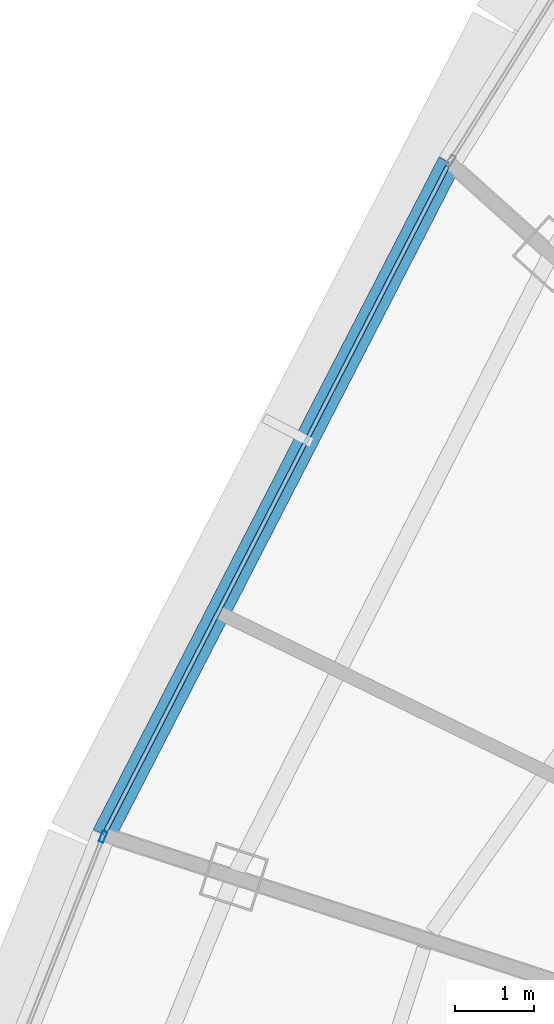
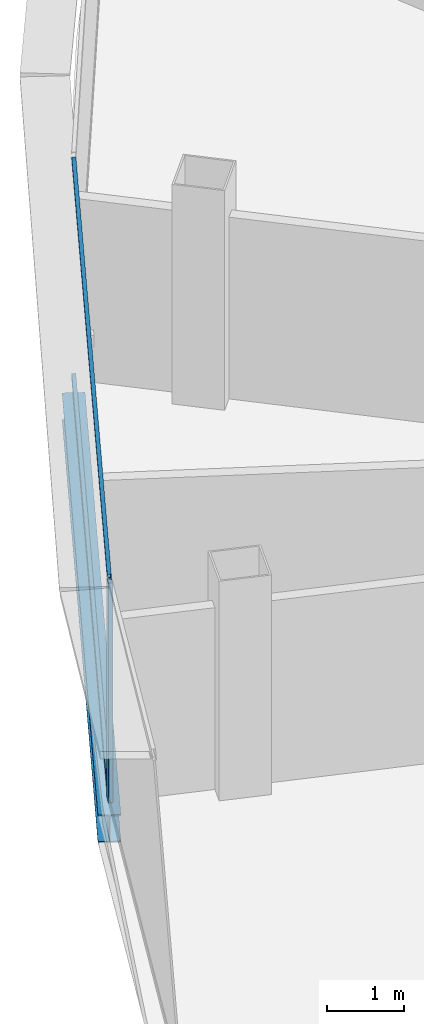
# One storey, part 6 of 29: 3 members, 1 beam, 2 elements without a shape of their own.
"""IFC4 building model written with IfcOpenShell, lengths in metres."""

from ifc_helpers import new_model, si_unit, direction, frame, origin, origin_2d, place, context, subcontext, project, spatial, hollow_rectangle, i_section, extrude, source, transform, mapped, material, layer, layer_set, material_profile, profile_set, type_object, element, aggregate, save


model = new_model("IFC4")

# Units and contexts
model_context = context("Model", 3, precision=1e-05, world=origin(), true_north=direction((0.0, 1.0)))
body_context = subcontext(model_context, "Body", "Model", "MODEL_VIEW")
ifc_project = project(units=[si_unit("LENGTHUNIT", "METRE"), si_unit("AREAUNIT", "SQUARE_METRE"), si_unit("VOLUMEUNIT", "CUBIC_METRE"), si_unit("PLANEANGLEUNIT", "RADIAN"), si_unit("MASSUNIT", "GRAM", prefix="KILO"), si_unit("THERMODYNAMICTEMPERATUREUNIT", "KELVIN"), si_unit("POWERUNIT", "WATT")], contexts=[model_context])

# Site, building, storey
site_placement = place(None, origin())
site = spatial("IfcSite", under=ifc_project, at=site_placement, CompositionType="ELEMENT")
building_placement = place(site_placement, origin())
building = spatial("IfcBuilding", under=site, at=building_placement, Name="Yunzhuo Pagoda Commons", CompositionType="ELEMENT")
storey_placement = place(building_placement, frame((0.0, 0.0, 359.260009765625)))
storey = spatial("IfcBuildingStorey", under=building, at=storey_placement, Name="L90", CompositionType="ELEMENT", Elevation=359.260009765625)

# Beam
ifc_material_1 = material(Name="Structural steel Q355B", Category="steel")
ifc_material_profile_1 = material_profile(ifc_material_1, i_section(OverallWidth=0.300048828125, OverallDepth=0.43994140625, WebThickness=0.010986328125, FlangeThickness=0.01806640625, at=origin_2d()), Name="Structural steel Q355B")
ifc_profile_set_1 = profile_set([ifc_material_profile_1], Name="Structural steel Q355B")
beam_type = type_object("IfcBeamType", Name="B-SP2 Beam HM 440x300x11x18", PredefinedType="BEAM", material=ifc_profile_set_1)
shared_shape_1 = source(origin(), body_context, "Body", "SweptSolid", [
    extrude(i_section(OverallWidth=0.300048828125, OverallDepth=0.43994140625, WebThickness=0.010986328125, FlangeThickness=0.01806640625, at=origin_2d()), origin(), (0.0, 0.0, 1.0), 9.600341796875),
])
beam_placement = place(storey_placement, frame((30.685302734375, 49.2900390625, -0.47998046875), z_axis=(-0.457265841748, -0.889330056824, 0.0), x_axis=(0.889330056824, -0.457265841748, 0.0)))
element("IfcBeam", 1, at=beam_placement, inside=storey, type_object=beam_type, Name="L90 facade edge spandrel beam F3.2", PredefinedType="BEAM", context=body_context, shape_type="MappedRepresentation", body=[
    mapped(shared_shape_1, transform((0.0, 0.0, 0.0), scale=1.0)),
])

# Curtain wall, member
ifc_material_2 = material(Name="Anodized aluminium 6063-T6", Category="aluminium")
ifc_layer = layer(ifc_material_2, 0.139892578125)
ifc_layer_set = layer_set([ifc_layer], Name="Anodized aluminium 6063-T6")
curtain_wall_type = type_object("IfcCurtainWallType", Name="CW-HI High-Zone Ribbon Curtain Wall", PredefinedType="NOTDEFINED", material=ifc_layer_set)
curtain_wall_1_placement = place(storey_placement, origin())
curtain_wall_1 = element("IfcCurtainWall", 2, at=curtain_wall_1_placement, inside=storey, type_object=curtain_wall_type, Name="L90 curtain wall CW-L90-F3B4", PredefinedType="NOTDEFINED")
ifc_material_profile_2 = material_profile(ifc_material_2, hollow_rectangle(XDim=0.06005859375, YDim=0.139892578125, WallThickness=0.00341796875, at=origin_2d()), Name="Anodized aluminium 6063-T6")
ifc_profile_set_2 = profile_set([ifc_material_profile_2], Name="Anodized aluminium 6063-T6")
member_type_1 = type_object("IfcMemberType", Name="CW-HI-M Mullion RHS 140x60x3.5", PredefinedType="MULLION", material=ifc_profile_set_2)
shared_shape_2 = source(origin(), body_context, "Body", "SweptSolid", [
    extrude(hollow_rectangle(XDim=0.06005859375, YDim=0.139892578125, WallThickness=0.00341796875, at=origin_2d()), origin(), (0.0, 0.0, 1.0), 3.489990234375),
])
member_1_placement = place(storey_placement, frame((26.284423828125, 40.724365234375, 0.0), z_axis=(0.0, 0.0, 1.0), x_axis=(0.929441197274, -0.368970270902, 0.0)))
member_1 = element("IfcMember", 3, at=member_1_placement, type_object=member_type_1, Name="CW mullion 1", PredefinedType="MULLION", context=body_context, shape_type="MappedRepresentation", body=[
    mapped(shared_shape_2, transform((0.0, 0.0, 0.0), scale=1.0)),
])
aggregate(curtain_wall_1, [member_1])

# Curtain wall, members
curtain_wall_2_placement = place(storey_placement, origin())
curtain_wall_2 = element("IfcCurtainWall", 4, at=curtain_wall_2_placement, inside=storey, type_object=curtain_wall_type, Name="L90 curtain wall CW-L90-F3B3", PredefinedType="NOTDEFINED")
ifc_material_profile_3 = material_profile(ifc_material_2, hollow_rectangle(XDim=0.054931640625, YDim=0.1201171875, WallThickness=0.00341796875, at=origin_2d()), Name="Anodized aluminium 6063-T6")
ifc_profile_set_3 = profile_set([ifc_material_profile_3], Name="Anodized aluminium 6063-T6")
member_type_2 = type_object("IfcMemberType", Name="CW-HI-T Transom RHS 120x55x3.5", PredefinedType="USERDEFINED", material=ifc_profile_set_3)
shared_shape_3 = source(origin(), body_context, "Body", "SweptSolid", [
    extrude(hollow_rectangle(XDim=0.054931640625, YDim=0.1201171875, WallThickness=0.00341796875, at=origin_2d()), origin(), (0.0, 0.0, 1.0), 9.48046875),
])
member_2_placement = place(storey_placement, frame((30.657958984375, 49.23681640625, 0.027587890625), z_axis=(-0.457279931988, -0.88932281192, 0.0), x_axis=(0.88932281192, -0.457279931988, 0.0)))
member_2 = element("IfcMember", 5, at=member_2_placement, type_object=member_type_2, Name="CW transom 1.1", ObjectType="TRANSOM", PredefinedType="USERDEFINED", context=body_context, shape_type="MappedRepresentation", body=[
    mapped(shared_shape_3, transform((0.0, 0.0, 0.0), scale=1.0)),
])
member_3_placement = place(storey_placement, frame((30.657958984375, 49.23681640625, 3.46240234375), z_axis=(-0.457279931988, -0.88932281192, 0.0), x_axis=(0.88932281192, -0.457279931988, 0.0)))
member_3 = element("IfcMember", 6, at=member_3_placement, type_object=member_type_2, Name="CW transom 1.2", ObjectType="TRANSOM", PredefinedType="USERDEFINED", context=body_context, shape_type="MappedRepresentation", body=[
    mapped(shared_shape_3, transform((0.0, 0.0, 0.0), scale=1.0)),
])
aggregate(curtain_wall_2, [member_2, member_3])

save(model, "model.ifc")
